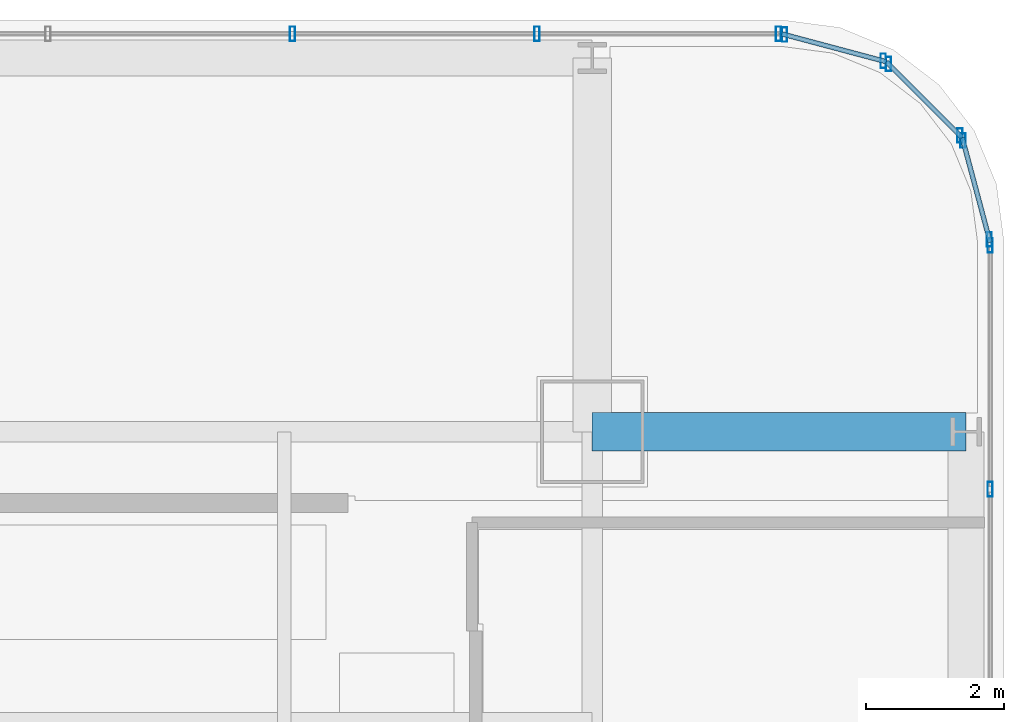
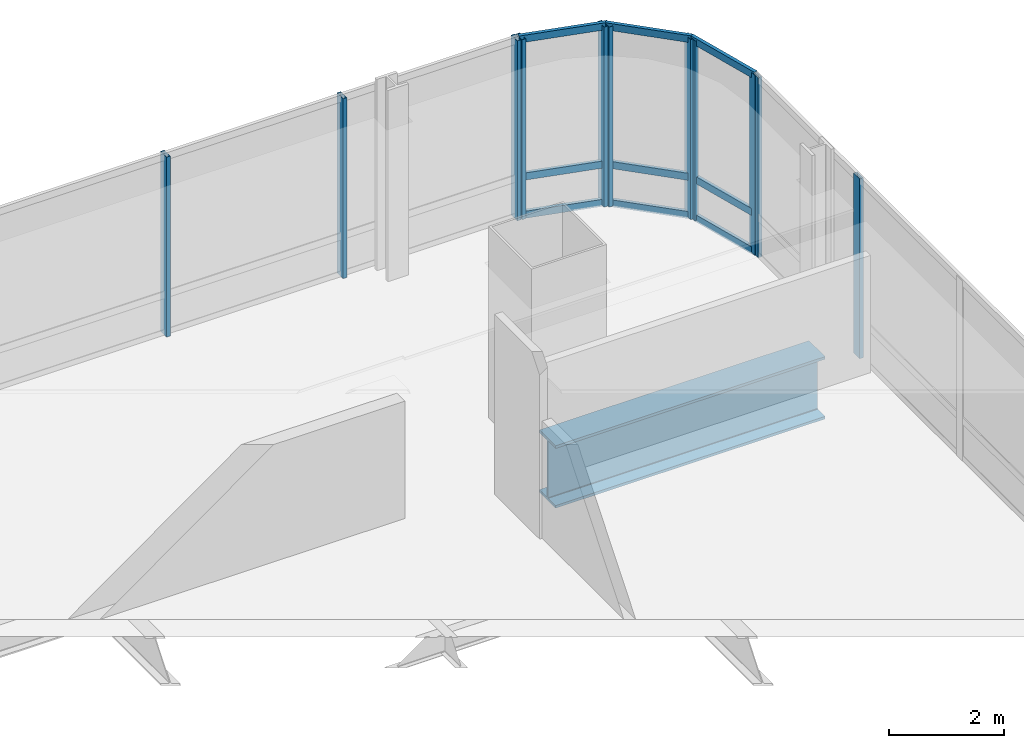
# One storey, part 24 of 34: 20 members, 1 beam, 5 elements without a shape of their own.
"""IFC4 building model written with IfcOpenShell, lengths in metres."""

from ifc_helpers import new_model, si_unit, direction, frame, origin, origin_2d, place, context, subcontext, project, spatial, hollow_rectangle, i_section, extrude, material, material_profile, profile_set, type_object, element, aggregate, save


model = new_model("IFC4")

# Units and contexts
model_context = context("Model", 3, precision=1e-05, world=origin(), true_north=direction((0.0, 1.0)))
body_context = subcontext(model_context, "Body", "Model", "MODEL_VIEW")
ifc_project = project(units=[si_unit("LENGTHUNIT", "METRE"), si_unit("AREAUNIT", "SQUARE_METRE"), si_unit("VOLUMEUNIT", "CUBIC_METRE"), si_unit("PLANEANGLEUNIT", "RADIAN"), si_unit("MASSUNIT", "GRAM", prefix="KILO")], contexts=[model_context])

# Site, building, storey
site_placement = place(None, origin())
site = spatial("IfcSite", under=ifc_project, at=site_placement, CompositionType="ELEMENT")
building_placement = place(site_placement, origin())
building = spatial("IfcBuilding", under=site, at=building_placement, Name="Punatoya Terracotta Tower", CompositionType="ELEMENT")
storey_placement = place(building_placement, frame((0.0, 0.0, 105.14990234375)))
storey = spatial("IfcBuildingStorey", under=building, at=storey_placement, Name="L24", CompositionType="ELEMENT", Elevation=105.14990234375)

# Beam
ifc_material_1 = material(Name="Steel S460", Category="steel")
ifc_material_profile_1 = material_profile(ifc_material_1, i_section(OverallWidth=0.56005859375, OverallDepth=1.320068359375, WebThickness=0.035888671875, FlangeThickness=0.054931640625, FilletRadius=0.01806640625, at=origin_2d()))
ifc_profile_set_1 = profile_set([ifc_material_profile_1], Name="Steel S460")
beam_type = type_object("IfcBeamType", Name="BM-TG-BLK", PredefinedType="BEAM", material=ifc_profile_set_1)
beam_placement = place(storey_placement, frame((19.10009765625, 17.5, -0.89990234375), z_axis=(1.0, 0.0, 0.0), x_axis=(0.0, 1.0, 0.0)))
element("IfcBeam", 1, at=beam_placement, inside=storey, type_object=beam_type, Name="BM-L24-CANT-E4", PredefinedType="BEAM", context=body_context, shape_type="SweptSolid", body=[
    extrude(i_section(OverallWidth=0.56005859375, OverallDepth=1.320068359375, WebThickness=0.035888671875, FlangeThickness=0.054931640625, FilletRadius=0.01806640625, at=origin_2d()), origin(), (0.0, 0.0, 1.0), 5.39990234375),
])

# Curtain wall, members
ifc_material_2 = material(Name="Aluminium 6063-T6 + Double Low-E Glass", Category="aluminium")
curtain_wall_type = type_object("IfcCurtainWallType", Name="CW-M1", PredefinedType="NOTDEFINED", material=ifc_material_2)
curtain_wall_1_placement = place(storey_placement, origin())
curtain_wall_1 = element("IfcCurtainWall", 2, at=curtain_wall_1_placement, inside=storey, type_object=curtain_wall_type, Name="L24 Curtain Wall CW-L24-E05-1", PredefinedType="NOTDEFINED")
ifc_material_3 = material(Name="Aluminium 6063-T6", Category="aluminium")
ifc_material_profile_2 = material_profile(ifc_material_3, hollow_rectangle(XDim=0.074951171875, YDim=0.2099609375, WallThickness=0.00439453125, at=origin_2d()))
ifc_profile_set_2 = profile_set([ifc_material_profile_2], Name="Aluminium 6063-T6")
member_type_1 = type_object("IfcMemberType", Name="CW-MUL-M1", PredefinedType="MULLION", material=ifc_profile_set_2)
member_1_placement = place(storey_placement, frame((24.85009765625, 16.66943359375, 0.0), z_axis=(0.0, 0.0, 1.0), x_axis=(1.0, 0.0, 0.0)))
member_1 = element("IfcMember", 3, at=member_1_placement, type_object=member_type_1, Name="CW-L24-E05-1 Mullion 09", PredefinedType="MULLION", context=body_context, shape_type="SweptSolid", body=[
    extrude(hollow_rectangle(XDim=0.074951171875, YDim=0.2099609375, WallThickness=0.00439453125, at=origin_2d()), origin(), (0.0, 0.0, 1.0), 3.81005859375),
])
member_2_placement = place(storey_placement, frame((24.85009765625, 20.19189453125, 0.0), z_axis=(0.0, 0.0, 1.0), x_axis=(1.0, 0.0, 0.0)))
member_2 = element("IfcMember", 4, at=member_2_placement, type_object=member_type_1, Name="CW-L24-E05-1 Mullion 10", PredefinedType="MULLION", context=body_context, shape_type="SweptSolid", body=[
    extrude(hollow_rectangle(XDim=0.074951171875, YDim=0.2099609375, WallThickness=0.00439453125, at=origin_2d()), origin(), (0.0, 0.0, 1.0), 3.81005859375),
])
aggregate(curtain_wall_1, [member_1, member_2])

curtain_wall_2_placement = place(storey_placement, origin())
curtain_wall_2 = element("IfcCurtainWall", 5, at=curtain_wall_2_placement, inside=storey, type_object=curtain_wall_type, Name="L24 Curtain Wall CW-L24-CRN06", PredefinedType="NOTDEFINED")
member_3_placement = place(storey_placement, frame((24.83837890625, 20.280517578125, 0.0), z_axis=(0.0, 0.0, 1.0), x_axis=(1.0, 0.0, 0.0)))
member_3 = element("IfcMember", 6, at=member_3_placement, type_object=member_type_1, Name="CW-L24-CRN06 Mullion 00", PredefinedType="MULLION", context=body_context, shape_type="SweptSolid", body=[
    extrude(hollow_rectangle(XDim=0.074951171875, YDim=0.2099609375, WallThickness=0.00439453125, at=origin_2d()), origin(), (0.0, 0.0, 1.0), 3.81005859375),
])
member_4_placement = place(storey_placement, frame((24.458251953125, 21.70556640625, 0.0), z_axis=(0.0, 0.0, 1.0), x_axis=(1.0, 0.0, 0.0)))
member_4 = element("IfcMember", 7, at=member_4_placement, type_object=member_type_1, Name="CW-L24-CRN06 Mullion 01", PredefinedType="MULLION", context=body_context, shape_type="SweptSolid", body=[
    extrude(hollow_rectangle(XDim=0.074951171875, YDim=0.2099609375, WallThickness=0.00439453125, at=origin_2d()), origin(), (0.0, 0.0, 1.0), 3.81005859375),
])

curtain_wall_3_placement = place(storey_placement, origin())
curtain_wall_3 = element("IfcCurtainWall", 8, at=curtain_wall_3_placement, inside=storey, type_object=curtain_wall_type, Name="L24 Curtain Wall CW-L24-CRN07", PredefinedType="NOTDEFINED")
member_5_placement = place(storey_placement, frame((24.414794921875, 21.781005859375, 0.0), z_axis=(0.0, 0.0, 1.0), x_axis=(1.0, 0.0, 0.0)))
member_5 = element("IfcMember", 9, at=member_5_placement, type_object=member_type_1, Name="CW-L24-CRN07 Mullion 00", PredefinedType="MULLION", context=body_context, shape_type="SweptSolid", body=[
    extrude(hollow_rectangle(XDim=0.074951171875, YDim=0.2099609375, WallThickness=0.00439453125, at=origin_2d()), origin(), (0.0, 0.0, 1.0), 3.81005859375),
])
member_6_placement = place(storey_placement, frame((23.380859375, 22.814697265625, 0.0), z_axis=(0.0, 0.0, 1.0), x_axis=(1.0, 0.0, 0.0)))
member_6 = element("IfcMember", 10, at=member_6_placement, type_object=member_type_1, Name="CW-L24-CRN07 Mullion 01", PredefinedType="MULLION", context=body_context, shape_type="SweptSolid", body=[
    extrude(hollow_rectangle(XDim=0.074951171875, YDim=0.2099609375, WallThickness=0.00439453125, at=origin_2d()), origin(), (0.0, 0.0, 1.0), 3.81005859375),
])

curtain_wall_4_placement = place(storey_placement, origin())
curtain_wall_4 = element("IfcCurtainWall", 11, at=curtain_wall_4_placement, inside=storey, type_object=curtain_wall_type, Name="L24 Curtain Wall CW-L24-CRN08", PredefinedType="NOTDEFINED")
member_7_placement = place(storey_placement, frame((23.3056640625, 22.858154296875, 0.0), z_axis=(0.0, 0.0, 1.0), x_axis=(1.0, 0.0, 0.0)))
member_7 = element("IfcMember", 12, at=member_7_placement, type_object=member_type_1, Name="CW-L24-CRN08 Mullion 00", PredefinedType="MULLION", context=body_context, shape_type="SweptSolid", body=[
    extrude(hollow_rectangle(XDim=0.074951171875, YDim=0.2099609375, WallThickness=0.00439453125, at=origin_2d()), origin(), (0.0, 0.0, 1.0), 3.81005859375),
])
member_8_placement = place(storey_placement, frame((21.88037109375, 23.23828125, 0.0), z_axis=(0.0, 0.0, 1.0), x_axis=(1.0, 0.0, 0.0)))
member_8 = element("IfcMember", 13, at=member_8_placement, type_object=member_type_1, Name="CW-L24-CRN08 Mullion 01", PredefinedType="MULLION", context=body_context, shape_type="SweptSolid", body=[
    extrude(hollow_rectangle(XDim=0.074951171875, YDim=0.2099609375, WallThickness=0.00439453125, at=origin_2d()), origin(), (0.0, 0.0, 1.0), 3.81005859375),
])

curtain_wall_5_placement = place(storey_placement, origin())
curtain_wall_5 = element("IfcCurtainWall", 14, at=curtain_wall_5_placement, inside=storey, type_object=curtain_wall_type, Name="L24 Curtain Wall CW-L24-N09-1", PredefinedType="NOTDEFINED")
member_9_placement = place(storey_placement, frame((21.7919921875, 23.25, 0.0), z_axis=(0.0, 0.0, 1.0), x_axis=(1.0, 0.0, 0.0)))
member_9 = element("IfcMember", 15, at=member_9_placement, type_object=member_type_1, Name="CW-L24-N09-1 Mullion 00", PredefinedType="MULLION", context=body_context, shape_type="SweptSolid", body=[
    extrude(hollow_rectangle(XDim=0.074951171875, YDim=0.2099609375, WallThickness=0.00439453125, at=origin_2d()), origin(), (0.0, 0.0, 1.0), 3.81005859375),
])
member_10_placement = place(storey_placement, frame((18.302978515625, 23.25, 0.0), z_axis=(0.0, 0.0, 1.0), x_axis=(1.0, 0.0, 0.0)))
member_10 = element("IfcMember", 16, at=member_10_placement, type_object=member_type_1, Name="CW-L24-N09-1 Mullion 01", PredefinedType="MULLION", context=body_context, shape_type="SweptSolid", body=[
    extrude(hollow_rectangle(XDim=0.074951171875, YDim=0.2099609375, WallThickness=0.00439453125, at=origin_2d()), origin(), (0.0, 0.0, 1.0), 3.81005859375),
])
member_11_placement = place(storey_placement, frame((14.768798828125, 23.25, 0.0), z_axis=(0.0, 0.0, 1.0), x_axis=(1.0, 0.0, 0.0)))
member_11 = element("IfcMember", 17, at=member_11_placement, type_object=member_type_1, Name="CW-L24-N09-1 Mullion 02", PredefinedType="MULLION", context=body_context, shape_type="SweptSolid", body=[
    extrude(hollow_rectangle(XDim=0.074951171875, YDim=0.2099609375, WallThickness=0.00439453125, at=origin_2d()), origin(), (0.0, 0.0, 1.0), 3.81005859375),
])
aggregate(curtain_wall_5, [member_9, member_10, member_11])

# Member
ifc_material_profile_3 = material_profile(ifc_material_3, hollow_rectangle(XDim=0.068115234375, YDim=0.14990234375, WallThickness=0.00390625, at=origin_2d()))
ifc_profile_set_3 = profile_set([ifc_material_profile_3], Name="Aluminium 6063-T6")
member_type_2 = type_object("IfcMemberType", Name="CW-TRN-TYP", PredefinedType="USERDEFINED", material=ifc_profile_set_3)
member_12_placement = place(storey_placement, frame((24.85009765625, 20.23681640625, 0.0400390625), z_axis=(-0.257847112249, 0.966185730957, 0.0), x_axis=(-0.966185730957, -0.257847112249, 0.0)))
member_12 = element("IfcMember", 18, at=member_12_placement, type_object=member_type_2, Name="CW-L24-CRN06 Transom 1", ObjectType="TRANSOM", PredefinedType="USERDEFINED", context=body_context, shape_type="SweptSolid", body=[
    extrude(hollow_rectangle(XDim=0.068115234375, YDim=0.14990234375, WallThickness=0.00390625, at=origin_2d()), origin(), (0.0, 0.0, 1.0), 1.565185546875),
])

member_13_placement = place(storey_placement, frame((24.85009765625, 20.23681640625, 0.85009765625), z_axis=(-0.257847112249, 0.966185730957, 0.0), x_axis=(-0.966185730957, -0.257847112249, 0.0)))
member_13 = element("IfcMember", 19, at=member_13_placement, type_object=member_type_2, Name="CW-L24-CRN06 Transom 2", ObjectType="TRANSOM", PredefinedType="USERDEFINED", context=body_context, shape_type="SweptSolid", body=[
    extrude(hollow_rectangle(XDim=0.068115234375, YDim=0.14990234375, WallThickness=0.00390625, at=origin_2d()), origin(), (0.0, 0.0, 1.0), 1.565185546875),
])

member_14_placement = place(storey_placement, frame((24.85009765625, 20.23681640625, 3.77001953125), z_axis=(-0.257847112249, 0.966185730957, 0.0), x_axis=(-0.966185730957, -0.257847112249, 0.0)))
member_14 = element("IfcMember", 20, at=member_14_placement, type_object=member_type_2, Name="CW-L24-CRN06 Transom 3", ObjectType="TRANSOM", PredefinedType="USERDEFINED", context=body_context, shape_type="SweptSolid", body=[
    extrude(hollow_rectangle(XDim=0.068115234375, YDim=0.14990234375, WallThickness=0.00390625, at=origin_2d()), origin(), (0.0, 0.0, 1.0), 1.565185546875),
])

aggregate(curtain_wall_2, [member_3, member_4, member_12, member_13, member_14])

member_15_placement = place(storey_placement, frame((24.446533203125, 21.7490234375, 0.0400390625), z_axis=(-0.707028130747, 0.707185422879, 0.0), x_axis=(-0.707185422879, -0.707028130747, 0.0)))
member_15 = element("IfcMember", 21, at=member_15_placement, type_object=member_type_2, Name="CW-L24-CRN07 Transom 1", ObjectType="TRANSOM", PredefinedType="USERDEFINED", context=body_context, shape_type="SweptSolid", body=[
    extrude(hollow_rectangle(XDim=0.068115234375, YDim=0.14990234375, WallThickness=0.00390625, at=origin_2d()), origin(), (0.0, 0.0, 1.0), 1.55224609375),
])

member_16_placement = place(storey_placement, frame((24.446533203125, 21.7490234375, 0.85009765625), z_axis=(-0.707028130747, 0.707185422879, 0.0), x_axis=(-0.707185422879, -0.707028130747, 0.0)))
member_16 = element("IfcMember", 22, at=member_16_placement, type_object=member_type_2, Name="CW-L24-CRN07 Transom 2", ObjectType="TRANSOM", PredefinedType="USERDEFINED", context=body_context, shape_type="SweptSolid", body=[
    extrude(hollow_rectangle(XDim=0.068115234375, YDim=0.14990234375, WallThickness=0.00390625, at=origin_2d()), origin(), (0.0, 0.0, 1.0), 1.55224609375),
])

member_17_placement = place(storey_placement, frame((24.446533203125, 21.7490234375, 3.77001953125), z_axis=(-0.707028130747, 0.707185422879, 0.0), x_axis=(-0.707185422879, -0.707028130747, 0.0)))
member_17 = element("IfcMember", 23, at=member_17_placement, type_object=member_type_2, Name="CW-L24-CRN07 Transom 3", ObjectType="TRANSOM", PredefinedType="USERDEFINED", context=body_context, shape_type="SweptSolid", body=[
    extrude(hollow_rectangle(XDim=0.068115234375, YDim=0.14990234375, WallThickness=0.00390625, at=origin_2d()), origin(), (0.0, 0.0, 1.0), 1.55224609375),
])

aggregate(curtain_wall_3, [member_5, member_6, member_15, member_16, member_17])

member_18_placement = place(storey_placement, frame((23.34912109375, 22.8466796875, 0.0400390625), z_axis=(-0.966224582397, 0.257701486942, 0.0), x_axis=(-0.257701486942, -0.966224582397, 0.0)))
member_18 = element("IfcMember", 24, at=member_18_placement, type_object=member_type_2, Name="CW-L24-CRN08 Transom 1", ObjectType="TRANSOM", PredefinedType="USERDEFINED", context=body_context, shape_type="SweptSolid", body=[
    extrude(hollow_rectangle(XDim=0.068115234375, YDim=0.14990234375, WallThickness=0.00390625, at=origin_2d()), origin(), (0.0, 0.0, 1.0), 1.565185546875),
])

member_19_placement = place(storey_placement, frame((23.34912109375, 22.8466796875, 0.85009765625), z_axis=(-0.966224582397, 0.257701486942, 0.0), x_axis=(-0.257701486942, -0.966224582397, 0.0)))
member_19 = element("IfcMember", 25, at=member_19_placement, type_object=member_type_2, Name="CW-L24-CRN08 Transom 2", ObjectType="TRANSOM", PredefinedType="USERDEFINED", context=body_context, shape_type="SweptSolid", body=[
    extrude(hollow_rectangle(XDim=0.068115234375, YDim=0.14990234375, WallThickness=0.00390625, at=origin_2d()), origin(), (0.0, 0.0, 1.0), 1.565185546875),
])

member_20_placement = place(storey_placement, frame((23.34912109375, 22.8466796875, 3.77001953125), z_axis=(-0.966224582397, 0.257701486942, 0.0), x_axis=(-0.257701486942, -0.966224582397, 0.0)))
member_20 = element("IfcMember", 26, at=member_20_placement, type_object=member_type_2, Name="CW-L24-CRN08 Transom 3", ObjectType="TRANSOM", PredefinedType="USERDEFINED", context=body_context, shape_type="SweptSolid", body=[
    extrude(hollow_rectangle(XDim=0.068115234375, YDim=0.14990234375, WallThickness=0.00390625, at=origin_2d()), origin(), (0.0, 0.0, 1.0), 1.565185546875),
])

aggregate(curtain_wall_4, [member_7, member_8, member_18, member_19, member_20])

save(model, "model.ifc")
